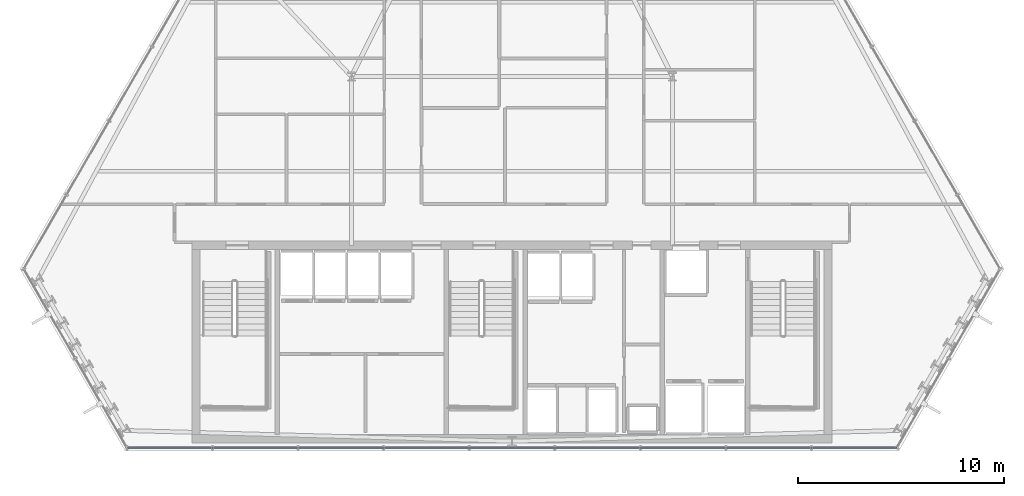
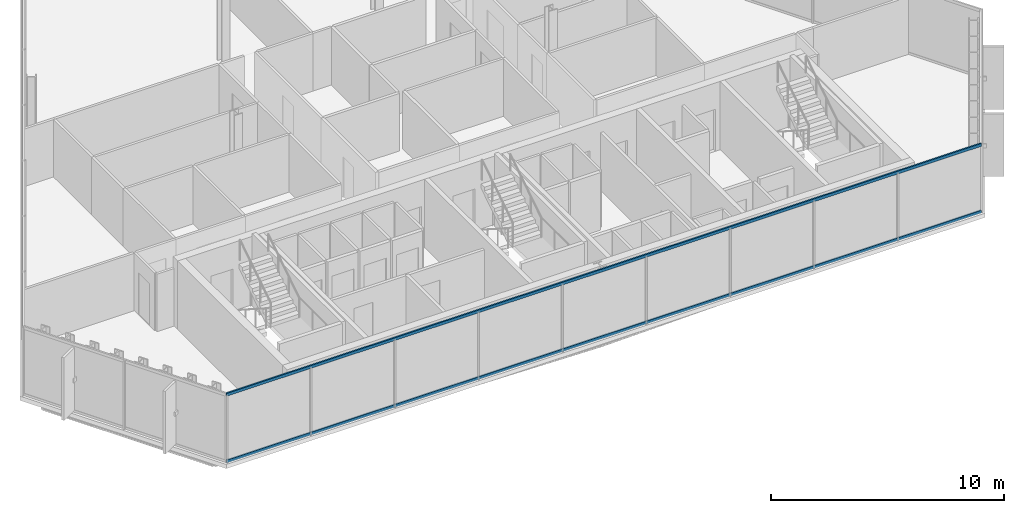
# One storey, part 8 of 35: 2 members, 1 element without a shape of its own.
"""IFC4 building model written with IfcOpenShell, lengths in metres."""

from ifc_helpers import new_model, si_unit, direction, frame, origin, origin_2d, place, context, subcontext, project, spatial, hollow_rectangle, extrude, material, layer, layer_set, material_profile, profile_set, type_object, element, aggregate, save


model = new_model("IFC4")

# Units and contexts
model_context = context("Model", 3, precision=1e-05, world=origin(), true_north=direction((0.0, 1.0)))
body_context = subcontext(model_context, "Body", "Model", "MODEL_VIEW")
ifc_project = project(units=[si_unit("LENGTHUNIT", "METRE"), si_unit("AREAUNIT", "SQUARE_METRE"), si_unit("VOLUMEUNIT", "CUBIC_METRE"), si_unit("PLANEANGLEUNIT", "RADIAN"), si_unit("MASSUNIT", "GRAM", prefix="KILO")], contexts=[model_context])

# Site, building, storey
site_placement = place(None, origin())
site = spatial("IfcSite", under=ifc_project, at=site_placement, CompositionType="ELEMENT")
building_placement = place(site_placement, origin())
building = spatial("IfcBuilding", under=site, at=building_placement, Name="Ndaravel Arena Tower", CompositionType="ELEMENT")
storey_placement = place(building_placement, frame((0.0, 0.0, 176.39990234375)))
storey = spatial("IfcBuildingStorey", under=building, at=storey_placement, Name="L42", CompositionType="ELEMENT", Elevation=176.39990234375)

# Curtain wall, members
ifc_material_1 = material(Name="Aluminium", Category="aluminium")
ifc_layer = layer(ifc_material_1, 0.179931640625)
ifc_layer_set = layer_set([ifc_layer], Name="Aluminium")
curtain_wall_type = type_object("IfcCurtainWallType", Name="CW-SYS-03", PredefinedType="NOTDEFINED", material=ifc_layer_set)
curtain_wall_placement = place(storey_placement, origin())
curtain_wall = element("IfcCurtainWall", 1, at=curtain_wall_placement, inside=storey, type_object=curtain_wall_type, Name="L42 Faceted Crystal Curtain Wall CW-L42-E01", PredefinedType="NOTDEFINED")
ifc_material_2 = material(Name="Aluminium", Category="aluminium")
ifc_material_profile = material_profile(ifc_material_2, hollow_rectangle(XDim=0.074951171875, YDim=0.14990234375, WallThickness=0.00390625, at=origin_2d()), Name="CW TRANSOM 75x150x4")
ifc_profile_set = profile_set([ifc_material_profile], Name="Aluminium")
member_type = type_object("IfcMemberType", Name="MEM-CW-TRN150", PredefinedType="USERDEFINED", material=ifc_profile_set)
member_1_placement = place(storey_placement, frame((23.296630859375, 5.159912109375, 0.0400390625), z_axis=(1.0, 0.0, 0.0), x_axis=(0.0, 1.0, 0.0)))
member_1 = element("IfcMember", 2, at=member_1_placement, type_object=member_type, Name="CW-L42-E01 Transom 01", ObjectType="TRANSOM", PredefinedType="USERDEFINED", context=body_context, shape_type="SweptSolid", body=[
    extrude(hollow_rectangle(XDim=0.074951171875, YDim=0.14990234375, WallThickness=0.00390625, at=origin_2d()), origin(), (0.0, 0.0, 1.0), 37.40673828125),
])
member_2_placement = place(storey_placement, frame((23.296630859375, 5.159912109375, 3.5400390625), z_axis=(1.0, 0.0, 0.0), x_axis=(0.0, 1.0, 0.0)))
member_2 = element("IfcMember", 3, at=member_2_placement, type_object=member_type, Name="CW-L42-E01 Transom 02", ObjectType="TRANSOM", PredefinedType="USERDEFINED", context=body_context, shape_type="SweptSolid", body=[
    extrude(hollow_rectangle(XDim=0.074951171875, YDim=0.14990234375, WallThickness=0.00390625, at=origin_2d()), origin(), (0.0, 0.0, 1.0), 37.40673828125),
])
aggregate(curtain_wall, [member_1, member_2])

save(model, "model.ifc")
